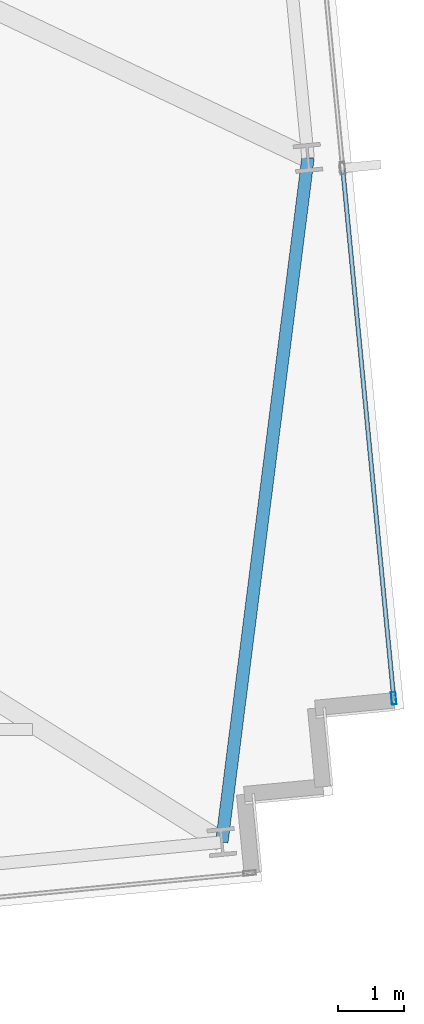
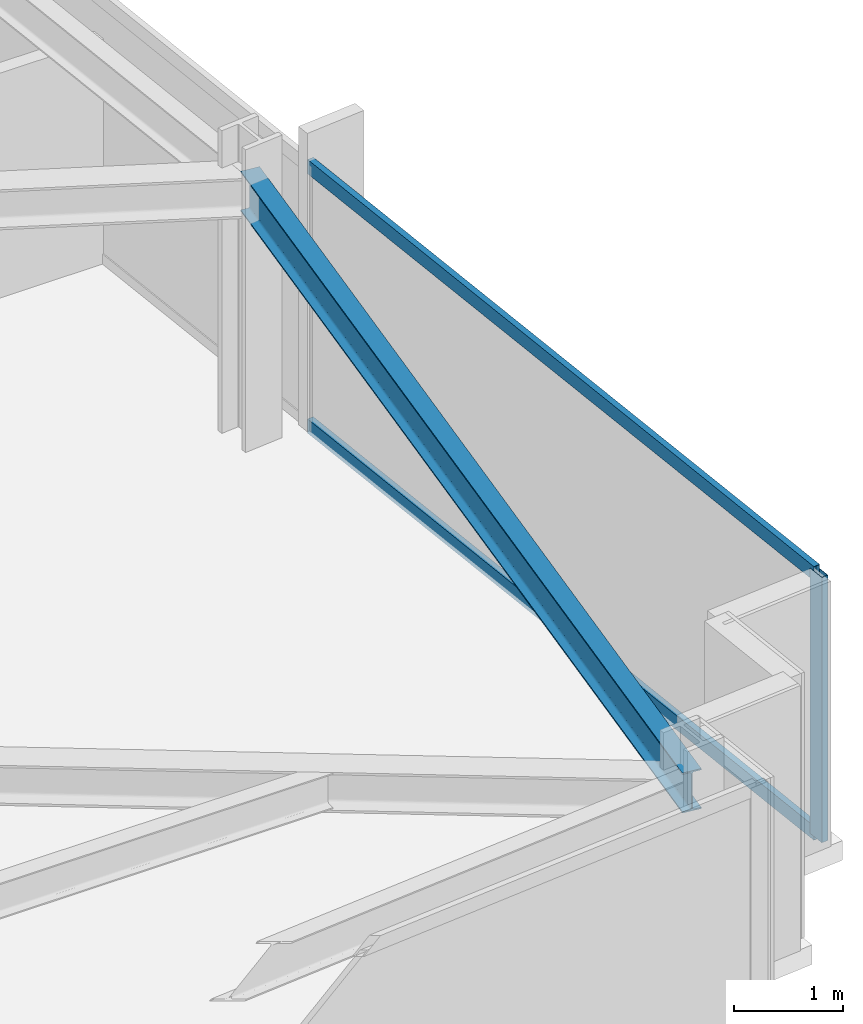
# One storey, part 14 of 32: 3 members, 1 beam, 1 element without a shape of its own.
"""IFC4 building model written with IfcOpenShell, lengths in metres."""

from ifc_helpers import new_model, si_unit, direction, frame, origin, origin_2d, place, context, subcontext, project, spatial, hollow_rectangle, i_section, extrude, material, material_profile, profile_set, type_object, element, aggregate, save


model = new_model("IFC4")

# Units and contexts
model_context = context("Model", 3, precision=1e-05, world=origin(), true_north=direction((0.0, 1.0)))
body_context = subcontext(model_context, "Body", "Model", "MODEL_VIEW")
ifc_project = project(units=[si_unit("LENGTHUNIT", "METRE"), si_unit("AREAUNIT", "SQUARE_METRE"), si_unit("VOLUMEUNIT", "CUBIC_METRE"), si_unit("PLANEANGLEUNIT", "RADIAN"), si_unit("MASSUNIT", "GRAM", prefix="KILO")], contexts=[model_context])

# Site, building, storey
site_placement = place(None, origin())
site = spatial("IfcSite", under=ifc_project, at=site_placement, CompositionType="ELEMENT")
building_placement = place(site_placement, origin())
building = spatial("IfcBuilding", under=site, at=building_placement, Name="Yelkora Congress Tower", CompositionType="ELEMENT")
storey_placement = place(building_placement, frame((0.0, 0.0, 133.89990234375)))
storey = spatial("IfcBuildingStorey", under=building, at=storey_placement, Name="L36", CompositionType="ELEMENT", Elevation=133.89990234375)

# Beam
ifc_material_1 = material(Name="Steel S355J2", Category="steel")
ifc_material_profile_1 = material_profile(ifc_material_1, i_section(OverallWidth=0.18994140625, OverallDepth=0.449951171875, WebThickness=0.009521484375, FlangeThickness=0.0146484375, FilletRadius=0.02099609375, at=origin_2d()), Name="IPE 450")
ifc_profile_set_1 = profile_set([ifc_material_profile_1], Name="Steel S355J2")
beam_type = type_object("IfcBeamType", Name="BM-SPAN-IPE450", PredefinedType="SPANDREL", material=ifc_profile_set_1)
beam_placement = place(storey_placement, frame((74.73193359375, 14.43505859375, 2.755126953125), z_axis=(0.124929198684, 0.99216565921, 0.0), x_axis=(-0.99216565921, 0.124929198684, 0.0)))
element("IfcBeam", 1, at=beam_placement, inside=storey, type_object=beam_type, Name="L36 Perimeter Beam 10", PredefinedType="SPANDREL", context=body_context, shape_type="SweptSolid", body=[
    extrude(i_section(OverallWidth=0.18994140625, OverallDepth=0.449951171875, WebThickness=0.009521484375, FlangeThickness=0.0146484375, FilletRadius=0.02099609375, at=origin_2d()), origin(), (0.0, 0.0, 1.0), 10.48046875),
])

# Curtain wall, members
ifc_material_2 = material(Name="Anodised aluminium and insulated glass", Category="aluminium")
curtain_wall_type = type_object("IfcCurtainWallType", Name="CW-SYS-B2", PredefinedType="NOTDEFINED", material=ifc_material_2)
curtain_wall_placement = place(storey_placement, origin())
curtain_wall = element("IfcCurtainWall", 2, at=curtain_wall_placement, inside=storey, type_object=curtain_wall_type, Name="L36 Unitised Curtain Wall 15", PredefinedType="NOTDEFINED")
ifc_material_3 = material(Name="Anodised aluminium 6063-T6", Category="aluminium")
ifc_material_profile_2 = material_profile(ifc_material_3, hollow_rectangle(XDim=0.070068359375, YDim=0.18994140625, WallThickness=0.00390625, at=origin_2d()), Name="ALU 70x190x4")
ifc_profile_set_2 = profile_set([ifc_material_profile_2], Name="Anodised aluminium 6063-T6")
member_type_1 = type_object("IfcMemberType", Name="MEM-ML-B2", PredefinedType="MULLION", material=ifc_profile_set_2)
member_1_placement = place(storey_placement, frame((77.34423828125, 16.62060546875, 0.0), z_axis=(0.0, 0.0, 1.0), x_axis=(0.995396507508, 0.095842541913, 0.0)))
member_1 = element("IfcMember", 3, at=member_1_placement, type_object=member_type_1, Name="CW-B2 mullion 5", PredefinedType="MULLION", context=body_context, shape_type="SweptSolid", body=[
    extrude(hollow_rectangle(XDim=0.070068359375, YDim=0.18994140625, WallThickness=0.00390625, at=origin_2d()), origin(), (0.0, 0.0, 1.0), 2.97998046875),
])
ifc_material_profile_3 = material_profile(ifc_material_3, hollow_rectangle(XDim=0.06494140625, YDim=0.159912109375, WallThickness=0.00390625, at=origin_2d()), Name="ALU 65x160x4")
ifc_profile_set_3 = profile_set([ifc_material_profile_3], Name="Anodised aluminium 6063-T6")
member_type_2 = type_object("IfcMemberType", Name="MEM-TR-B2", PredefinedType="USERDEFINED", material=ifc_profile_set_3)
member_2_placement = place(storey_placement, frame((76.57177734375, 24.6435546875, 0.03271484375), z_axis=(0.095858482834, -0.995394972495, 0.0), x_axis=(0.995394972495, 0.095858482834, 0.0)))
member_2 = element("IfcMember", 4, at=member_2_placement, type_object=member_type_2, Name="CW-B2 transom 4.1", ObjectType="TRANSOM", PredefinedType="USERDEFINED", context=body_context, shape_type="SweptSolid", body=[
    extrude(hollow_rectangle(XDim=0.06494140625, YDim=0.159912109375, WallThickness=0.00390625, at=origin_2d()), origin(), (0.0, 0.0, 1.0), 8.025146484375),
])
member_3_placement = place(storey_placement, frame((76.57177734375, 24.6435546875, 2.947509765625), z_axis=(0.095858482834, -0.995394972495, 0.0), x_axis=(0.995394972495, 0.095858482834, 0.0)))
member_3 = element("IfcMember", 5, at=member_3_placement, type_object=member_type_2, Name="CW-B2 transom 4.2", ObjectType="TRANSOM", PredefinedType="USERDEFINED", context=body_context, shape_type="SweptSolid", body=[
    extrude(hollow_rectangle(XDim=0.06494140625, YDim=0.159912109375, WallThickness=0.00390625, at=origin_2d()), origin(), (0.0, 0.0, 1.0), 8.025146484375),
])
aggregate(curtain_wall, [member_1, member_2, member_3])

save(model, "model.ifc")
